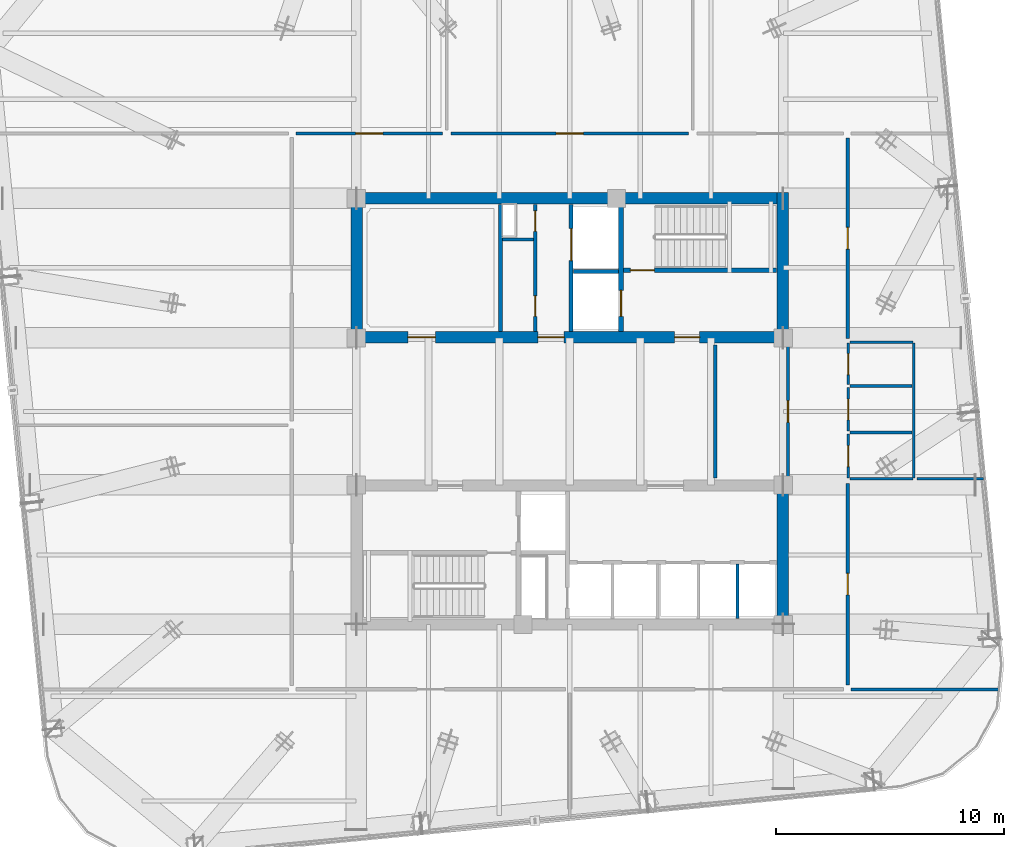
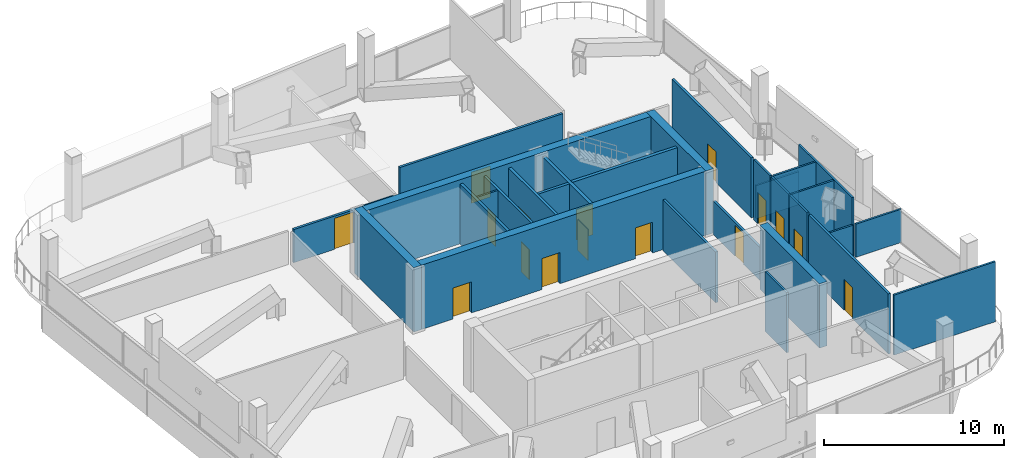
# One storey, part 17 of 22: 29 walls, 16 doors, 16 openings.
"""IFC4 building model written with IfcOpenShell, lengths in metres."""

from ifc_helpers import new_model, si_unit, direction, frame, frame_2d, origin, place, context, subcontext, project, spatial, rectangle, extrude, material, layer, layer_set, type_object, element, fill, save


model = new_model("IFC4")

# Units and contexts
model_context = context("Model", 3, precision=1e-05, world=origin(), true_north=direction((0.0, 1.0)))
body_context = subcontext(model_context, "Body", "Model", "MODEL_VIEW")
ifc_project = project(units=[si_unit("LENGTHUNIT", "METRE"), si_unit("AREAUNIT", "SQUARE_METRE"), si_unit("VOLUMEUNIT", "CUBIC_METRE"), si_unit("PLANEANGLEUNIT", "RADIAN"), si_unit("MASSUNIT", "GRAM", prefix="KILO")], contexts=[model_context])

# Site, building, storey
site_placement = place(None, origin())
site = spatial("IfcSite", under=ifc_project, at=site_placement, CompositionType="ELEMENT")
building_placement = place(site_placement, origin())
building = spatial("IfcBuilding", under=site, at=building_placement, Name="Qhalaya Broadcast Tower", CompositionType="ELEMENT")
storey_placement = place(building_placement, frame((0.0, 0.0, 183.60009765625)))
storey = spatial("IfcBuildingStorey", under=building, at=storey_placement, Name="L54", CompositionType="ELEMENT", Elevation=183.60009765625)

# Wall, openings, doors
ifc_material_1 = material(Name="Gypsum Acoustic Partition")
ifc_layer_1 = layer(ifc_material_1, 0.14990234375, Name="Gypsum Acoustic Partition")
ifc_layer_set_1 = layer_set([ifc_layer_1], Name="Gypsum Acoustic Partition")
wall_type_1 = type_object("IfcWallType", Name="Corridor & Tenancy Acoustic Partition 150", PredefinedType="PARTITIONING", material=ifc_layer_set_1)
wall_1_placement = place(storey_placement, frame((-1.52001953125, 4.1201171875, 0.0), z_axis=(0.0, 0.0, 1.0), x_axis=(0.0, 1.0, 0.0)))
wall_1 = element("IfcWall", 1, at=wall_1_placement, inside=storey, type_object=wall_type_1, Name="L54 Partition Wall NCW-SVL", PredefinedType="PARTITIONING", context=body_context, shape_type="SweptSolid", body=[
    extrude(rectangle(XDim=5.559814453125, YDim=0.14990234375, at=frame_2d((2.77978515625, 0.0))), origin(), (0.0, 0.0, 1.0), 4.06982421875),
])
opening_1_placement = place(wall_1_placement, frame((4.3798828125, 0.0, 0.0)))
opening_1 = element("IfcOpeningElement", 2, at=opening_1_placement, cuts=wall_1, Name="Opening D06", PredefinedType="OPENING", context=body_context, shape_type="SweptSolid", body=[
    extrude(rectangle(XDim=0.89990234375, YDim=2.050048828125, at=frame_2d((0.449951171875, 1.02490234375))), frame((0.0, 0.0869140625, 0.0), z_axis=(0.0, -1.0, 0.0), x_axis=(1.0, 0.0, 0.0)), (0.0, 0.0, 1.0), 0.173828125),
])
opening_2_placement = place(wall_1_placement, frame((0.64990234375, 0.0, 0.0)))
opening_2 = element("IfcOpeningElement", 3, at=opening_2_placement, cuts=wall_1, Name="Opening D06", PredefinedType="OPENING", context=body_context, shape_type="SweptSolid", body=[
    extrude(rectangle(XDim=0.89990234375, YDim=2.050048828125, at=frame_2d((0.449951171875, 1.02490234375))), frame((0.0, 0.0869140625, 0.0), z_axis=(0.0, -1.0, 0.0), x_axis=(1.0, 0.0, 0.0)), (0.0, 0.0, 1.0), 0.173828125),
])
ifc_material_2 = material(Name="Fire-Rated Steel Door", Category="steel")
door_type_1 = type_object("IfcDoorType", Name="Riser & Electrical Shaft Access Door D06", OperationType="NOTDEFINED", PredefinedType="DOOR", material=ifc_material_2)
door_1_placement = place(opening_1_placement, origin())
door_1 = element("IfcDoor", 4, at=door_1_placement, inside=storey, type_object=door_type_1, Name="L54 Riser Shaft Access Door D-NRSR", OperationType="SINGLE_SWING_RIGHT", OverallHeight=2.050048828125, OverallWidth=0.89990234375, PredefinedType="DOOR", context=body_context, shape_type="SweptSolid", body=[
    extrude(rectangle(XDim=0.89990234375, YDim=2.050048828125, at=frame_2d((0.449951171875, 1.02490234375))), frame((0.0, 0.02490234375, 0.0), z_axis=(0.0, -1.0, 0.0), x_axis=(1.0, 0.0, 0.0)), (0.0, 0.0, 1.0), 0.050048828125),
])
fill(opening_1, door_1)
door_2_placement = place(opening_2_placement, origin())
door_2 = element("IfcDoor", 5, at=door_2_placement, inside=storey, type_object=door_type_1, Name="L54 Door D-NCST", OperationType="SINGLE_SWING_LEFT", OverallHeight=2.050048828125, OverallWidth=0.89990234375, PredefinedType="DOOR", context=body_context, shape_type="SweptSolid", body=[
    extrude(rectangle(XDim=0.89990234375, YDim=2.050048828125, at=frame_2d((0.449951171875, 1.02490234375))), frame((0.0, 0.02490234375, 0.0), z_axis=(0.0, -1.0, 0.0), x_axis=(1.0, 0.0, 0.0)), (0.0, 0.0, 1.0), 0.050048828125),
])
fill(opening_2, door_2)

# Wall
wall_2_placement = place(storey_placement, frame((6.3798828125, -2.320068359375, 0.0), z_axis=(0.0, 0.0, 1.0), x_axis=(0.0, 1.0, 0.0)))
element("IfcWall", 6, at=wall_2_placement, inside=storey, type_object=wall_type_1, Name="L54 Partition Wall W-ICHW", PredefinedType="PARTITIONING", context=body_context, shape_type="SweptSolid", body=[
    extrude(rectangle(XDim=5.840087890625, YDim=0.14990234375, at=frame_2d((2.919921875, 0.0))), origin(), (0.0, 0.0, 1.0), 3.43798828125),
])

# Wall, opening, door
wall_3_placement = place(storey_placement, frame((9.580078125, -2.320068359375, 0.0), z_axis=(0.0, 0.0, 1.0), x_axis=(0.0, 1.0, 0.0)))
wall_3 = element("IfcWall", 7, at=wall_3_placement, inside=storey, type_object=wall_type_1, Name="L54 Partition Wall W-ICHE", PredefinedType="PARTITIONING", context=body_context, shape_type="SweptSolid", body=[
    extrude(rectangle(XDim=5.840087890625, YDim=0.14990234375, at=frame_2d((2.919921875, 0.0))), origin(), (0.0, 0.0, 1.0), 2.25),
])
opening_3_placement = place(wall_3_placement, frame((2.445068359375, 0.0, 0.0)))
opening_3 = element("IfcOpeningElement", 8, at=opening_3_placement, cuts=wall_3, Name="Opening D10", PredefinedType="OPENING", context=body_context, shape_type="SweptSolid", body=[
    extrude(rectangle(XDim=0.949951171875, YDim=2.10009765625, at=frame_2d((0.47509765625, 1.050048828125))), frame((0.0, 0.0869140625, 0.0), z_axis=(0.0, -1.0, 0.0), x_axis=(1.0, 0.0, 0.0)), (0.0, 0.0, 1.0), 0.173828125),
])
ifc_material_3 = material(Name="Timber Veneer Acoustic Door", Category="wood")
door_type_2 = type_object("IfcDoorType", Name="Cellular Office & Edit Booth Door D10", OperationType="NOTDEFINED", PredefinedType="DOOR", material=ifc_material_3)
door_3_placement = place(opening_3_placement, origin())
door_3 = element("IfcDoor", 9, at=door_3_placement, inside=storey, type_object=door_type_2, Name="L54 Door D-ICHE", OperationType="SINGLE_SWING_RIGHT", OverallHeight=2.10009765625, OverallWidth=0.949951171875, PredefinedType="DOOR", context=body_context, shape_type="SweptSolid", body=[
    extrude(rectangle(XDim=0.949951171875, YDim=2.10009765625, at=frame_2d((0.47509765625, 1.050048828125))), frame((0.0, 0.02490234375, 0.0), z_axis=(0.0, -1.0, 0.0), x_axis=(1.0, 0.0, 0.0)), (0.0, 0.0, 1.0), 0.050048828125),
])
fill(opening_3, door_3)

wall_4_placement = place(storey_placement, frame((-12.02001953125, 12.800048828125, 0.0), z_axis=(0.0, 0.0, 1.0), x_axis=(1.0, 0.0, 0.0)))
wall_4 = element("IfcWall", 10, at=wall_4_placement, inside=storey, type_object=wall_type_1, Name="L54 Partition Wall W-COR-01", PredefinedType="PARTITIONING", context=body_context, shape_type="SweptSolid", body=[
    extrude(rectangle(XDim=6.43994140625, YDim=0.14990234375, at=frame_2d((3.219970703125, 0.0))), origin(), (0.0, 0.0, 1.0), 2.25),
])
opening_4_placement = place(wall_4_placement, frame((2.6201171875, 0.0, 0.0)))
opening_4 = element("IfcOpeningElement", 11, at=opening_4_placement, cuts=wall_4, Name="Opening D11", PredefinedType="OPENING", context=body_context, shape_type="SweptSolid", body=[
    extrude(rectangle(XDim=1.199951171875, YDim=2.10009765625, at=frame_2d((0.60009765625, 1.050048828125))), frame((0.0, 0.0869140625, 0.0), z_axis=(0.0, -1.0, 0.0), x_axis=(1.0, 0.0, 0.0)), (0.0, 0.0, 1.0), 0.173828125),
])
ifc_material_4 = material(Name="Anodised Aluminium Glazed Door", Category="aluminium")
door_type_3 = type_object("IfcDoorType", Name="Conference, Boardroom & Studio Control Door D11", OperationType="NOTDEFINED", PredefinedType="DOOR", material=ifc_material_4)
door_4_placement = place(opening_4_placement, origin())
door_4 = element("IfcDoor", 12, at=door_4_placement, inside=storey, type_object=door_type_3, Name="L54 Door D-RM01", OperationType="SINGLE_SWING_RIGHT", OverallHeight=2.10009765625, OverallWidth=1.199951171875, PredefinedType="DOOR", context=body_context, shape_type="SweptSolid", body=[
    extrude(rectangle(XDim=1.199951171875, YDim=2.10009765625, at=frame_2d((0.60009765625, 1.050048828125))), frame((0.0, 0.02490234375, 0.0), z_axis=(0.0, -1.0, 0.0), x_axis=(1.0, 0.0, 0.0)), (0.0, 0.0, 1.0), 0.050048828125),
])
fill(opening_4, door_4)

wall_5_placement = place(storey_placement, frame((-5.219970703125, 12.800048828125, 0.0), z_axis=(0.0, 0.0, 1.0), x_axis=(1.0, 0.0, 0.0)))
wall_5 = element("IfcWall", 13, at=wall_5_placement, inside=storey, type_object=wall_type_1, Name="L54 Partition Wall W-COR-02", PredefinedType="PARTITIONING", context=body_context, shape_type="SweptSolid", body=[
    extrude(rectangle(XDim=10.43994140625, YDim=0.14990234375, at=frame_2d((5.219970703125, 0.0))), origin(), (0.0, 0.0, 1.0), 4.06982421875),
])
opening_5_placement = place(wall_5_placement, frame((4.6201171875, 0.0, 0.0)))
opening_5 = element("IfcOpeningElement", 14, at=opening_5_placement, cuts=wall_5, Name="Opening D11", PredefinedType="OPENING", context=body_context, shape_type="SweptSolid", body=[
    extrude(rectangle(XDim=1.199951171875, YDim=2.10009765625, at=frame_2d((0.60009765625, 1.050048828125))), frame((0.0, 0.0869140625, 0.0), z_axis=(0.0, -1.0, 0.0), x_axis=(1.0, 0.0, 0.0)), (0.0, 0.0, 1.0), 0.173828125),
])
door_5_placement = place(opening_5_placement, origin())
door_5 = element("IfcDoor", 15, at=door_5_placement, inside=storey, type_object=door_type_3, Name="L54 Door D-RM02", OperationType="SINGLE_SWING_LEFT", OverallHeight=2.10009765625, OverallWidth=1.199951171875, PredefinedType="DOOR", context=body_context, shape_type="SweptSolid", body=[
    extrude(rectangle(XDim=1.199951171875, YDim=2.10009765625, at=frame_2d((0.60009765625, 1.050048828125))), frame((0.0, 0.02490234375, 0.0), z_axis=(0.0, -1.0, 0.0), x_axis=(1.0, 0.0, 0.0)), (0.0, 0.0, 1.0), 0.050048828125),
])
fill(opening_5, door_5)

wall_6_placement = place(storey_placement, frame((12.199951171875, -11.39990234375, 0.0), z_axis=(0.0, 0.0, 1.0), x_axis=(0.0, 1.0, 0.0)))
wall_6 = element("IfcWall", 16, at=wall_6_placement, inside=storey, type_object=wall_type_1, Name="L54 Partition Wall W-COR-08", PredefinedType="PARTITIONING", context=body_context, shape_type="SweptSolid", body=[
    extrude(rectangle(XDim=8.83984375, YDim=0.14990234375, at=frame_2d((4.419921875, 0.0))), origin(), (0.0, 0.0, 1.0), 4.06982421875),
])
opening_6_placement = place(wall_6_placement, frame((3.945068359375, 0.0, 0.0)))
opening_6 = element("IfcOpeningElement", 17, at=opening_6_placement, cuts=wall_6, Name="Opening D10", PredefinedType="OPENING", context=body_context, shape_type="SweptSolid", body=[
    extrude(rectangle(XDim=0.949951171875, YDim=2.10009765625, at=frame_2d((0.47509765625, 1.050048828125))), frame((0.0, 0.0869140625, 0.0), z_axis=(0.0, -1.0, 0.0), x_axis=(1.0, 0.0, 0.0)), (0.0, 0.0, 1.0), 0.173828125),
])
door_6_placement = place(opening_6_placement, origin())
door_6 = element("IfcDoor", 18, at=door_6_placement, inside=storey, type_object=door_type_2, Name="L54 Door D-RM08", OperationType="SINGLE_SWING_LEFT", OverallHeight=2.10009765625, OverallWidth=0.949951171875, PredefinedType="DOOR", context=body_context, shape_type="SweptSolid", body=[
    extrude(rectangle(XDim=0.949951171875, YDim=2.10009765625, at=frame_2d((0.47509765625, 1.050048828125))), frame((0.0, 0.02490234375, 0.0), z_axis=(0.0, -1.0, 0.0), x_axis=(1.0, 0.0, 0.0)), (0.0, 0.0, 1.0), 0.050048828125),
])
fill(opening_6, door_6)

wall_7_placement = place(storey_placement, frame((12.199951171875, 3.800048828125, 0.0), z_axis=(0.0, 0.0, 1.0), x_axis=(0.0, 1.0, 0.0)))
wall_7 = element("IfcWall", 19, at=wall_7_placement, inside=storey, type_object=wall_type_1, Name="L54 Partition Wall W-COR-09", PredefinedType="PARTITIONING", context=body_context, shape_type="SweptSolid", body=[
    extrude(rectangle(XDim=8.800048828125, YDim=0.14990234375, at=frame_2d((4.39990234375, 0.0))), origin(), (0.0, 0.0, 1.0), 4.06982421875),
])
opening_7_placement = place(wall_7_placement, frame((3.925048828125, 0.0, 0.0)))
opening_7 = element("IfcOpeningElement", 20, at=opening_7_placement, cuts=wall_7, Name="Opening D10", PredefinedType="OPENING", context=body_context, shape_type="SweptSolid", body=[
    extrude(rectangle(XDim=0.949951171875, YDim=2.10009765625, at=frame_2d((0.47509765625, 1.050048828125))), frame((0.0, 0.0869140625, 0.0), z_axis=(0.0, -1.0, 0.0), x_axis=(1.0, 0.0, 0.0)), (0.0, 0.0, 1.0), 0.173828125),
])
door_7_placement = place(opening_7_placement, origin())
door_7 = element("IfcDoor", 21, at=door_7_placement, inside=storey, type_object=door_type_2, Name="L54 Door D-RM09", OperationType="SINGLE_SWING_RIGHT", OverallHeight=2.10009765625, OverallWidth=0.949951171875, PredefinedType="DOOR", context=body_context, shape_type="SweptSolid", body=[
    extrude(rectangle(XDim=0.949951171875, YDim=2.10009765625, at=frame_2d((0.47509765625, 1.050048828125))), frame((0.0, 0.02490234375, 0.0), z_axis=(0.0, -1.0, 0.0), x_axis=(1.0, 0.0, 0.0)), (0.0, 0.0, 1.0), 0.050048828125),
])
fill(opening_7, door_7)

ifc_material_5 = material(Name="Concrete C50/60", Category="concrete")
ifc_layer_2 = layer(ifc_material_5, 0.199951171875, Name="Concrete C50/60")
ifc_layer_set_2 = layer_set([ifc_layer_2], Name="Concrete C50/60")
wall_type_2 = type_object("IfcWallType", Name="Load-Bearing Stair Shaft Wall 200", PredefinedType="SHEAR", material=ifc_layer_set_2)
wall_8_placement = place(storey_placement, frame((2.360107421875, 6.804931640625, 0.0), z_axis=(0.0, 0.0, 1.0), x_axis=(1.0, 0.0, 0.0)))
wall_8 = element("IfcWall", 22, at=wall_8_placement, inside=storey, type_object=wall_type_2, Name="L54 Stair Core Shear Wall NCW-ST1", PredefinedType="SHEAR", context=body_context, shape_type="SweptSolid", body=[
    extrude(rectangle(XDim=6.719970703125, YDim=0.199951171875, at=frame_2d((3.35986328125, 0.0))), origin(), (0.0, 0.0, 1.0), 4.06982421875),
])
opening_8_placement = place(wall_8_placement, frame((0.300048828125, 0.0, 0.0)))
opening_8 = element("IfcOpeningElement", 23, at=opening_8_placement, cuts=wall_8, Name="Opening D03", PredefinedType="OPENING", context=body_context, shape_type="SweptSolid", body=[
    extrude(rectangle(XDim=1.050048828125, YDim=2.080078125, at=frame_2d((0.52490234375, 1.0400390625))), frame((0.0, 0.112060546875, 0.0), z_axis=(0.0, -1.0, 0.0), x_axis=(1.0, 0.0, 0.0)), (0.0, 0.0, 1.0), 0.223876953125),
])
door_type_4 = type_object("IfcDoorType", Name="Core Stair Protected Fire Door D03", OperationType="NOTDEFINED", PredefinedType="DOOR", material=ifc_material_2)
door_8_placement = place(opening_8_placement, origin())
door_8 = element("IfcDoor", 24, at=door_8_placement, inside=storey, type_object=door_type_4, Name="L54 Door D-NST1", OperationType="SINGLE_SWING_LEFT", OverallHeight=2.080078125, OverallWidth=1.050048828125, PredefinedType="DOOR", context=body_context, shape_type="SweptSolid", body=[
    extrude(rectangle(XDim=1.050048828125, YDim=2.080078125, at=frame_2d((0.52490234375, 1.0400390625))), frame((0.0, 0.02490234375, 0.0), z_axis=(0.0, -1.0, 0.0), x_axis=(1.0, 0.0, 0.0)), (0.0, 0.0, 1.0), 0.050048828125),
])
fill(opening_8, door_8)

wall_9_placement = place(storey_placement, frame((2.25, 4.1201171875, 0.0), z_axis=(0.0, 0.0, 1.0), x_axis=(0.0, 1.0, 0.0)))
wall_9 = element("IfcWall", 25, at=wall_9_placement, inside=storey, type_object=wall_type_2, Name="L54 Stair Core Shear Wall NCW-FF", PredefinedType="SHEAR", context=body_context, shape_type="SweptSolid", body=[
    extrude(rectangle(XDim=5.559814453125, YDim=0.199951171875, at=frame_2d((2.77978515625, 0.0))), origin(), (0.0, 0.0, 1.0), 4.06982421875),
])
opening_9_placement = place(wall_9_placement, frame((0.64990234375, 0.0, 0.0)))
opening_9 = element("IfcOpeningElement", 26, at=opening_9_placement, cuts=wall_9, Name="Opening LD2", PredefinedType="OPENING", context=body_context, shape_type="SweptSolid", body=[
    extrude(rectangle(XDim=1.14990234375, YDim=2.080078125, at=frame_2d((0.574951171875, 1.0400390625))), frame((0.0, 0.112060546875, 0.0), z_axis=(0.0, -1.0, 0.0), x_axis=(1.0, 0.0, 0.0)), (0.0, 0.0, 1.0), 0.223876953125),
])
ifc_material_6 = material(Name="Brushed Stainless Steel Lift Door", Category="steel")
door_type_5 = type_object("IfcDoorType", Name="Firefighting Lift Sliding Landing Door LD2", OperationType="DOUBLE_DOOR_SLIDING", PredefinedType="DOOR", material=ifc_material_6)
door_9_placement = place(opening_9_placement, origin())
door_9 = element("IfcDoor", 27, at=door_9_placement, inside=storey, type_object=door_type_5, Name="L54 Door LD-FF1", OperationType="DOUBLE_DOOR_SLIDING", OverallHeight=2.080078125, OverallWidth=1.14990234375, PredefinedType="DOOR", context=body_context, shape_type="SweptSolid", body=[
    extrude(rectangle(XDim=1.14990234375, YDim=2.080078125, at=frame_2d((0.574951171875, 1.0400390625))), frame((0.0, 0.02490234375, 0.0), z_axis=(0.0, -1.0, 0.0), x_axis=(1.0, 0.0, 0.0)), (0.0, 0.0, 1.0), 0.050048828125),
])
fill(opening_9, door_9)

# Wall
ifc_layer_3 = layer(ifc_material_5, 0.5, Name="Concrete C50/60")
ifc_layer_set_3 = layer_set([ifc_layer_3], Name="Concrete C50/60")
wall_type_3 = type_object("IfcWallType", Name="Mid Split-Core Shear Wall 500", PredefinedType="SHEAR", material=ifc_layer_set_3)
wall_10_placement = place(storey_placement, frame((-9.60009765625, 9.949951171875, 0.0), z_axis=(0.0, 0.0, 1.0), x_axis=(1.0, 0.0, 0.0)))
element("IfcWall", 28, at=wall_10_placement, inside=storey, type_object=wall_type_3, Name="L54 Split-Core Shear Wall CW-NN", PredefinedType="SHEAR", context=body_context, shape_type="SweptSolid", body=[
    extrude(rectangle(XDim=19.2001953125, YDim=0.5, at=frame_2d((9.60009765625, 0.0))), origin(), (0.0, 0.0, 1.0), 4.349853515625),
])

# Wall, openings, doors
wall_11_placement = place(storey_placement, frame((-9.60009765625, 3.85009765625, 0.0), z_axis=(0.0, 0.0, 1.0), x_axis=(1.0, 0.0, 0.0)))
wall_11 = element("IfcWall", 29, at=wall_11_placement, inside=storey, type_object=wall_type_3, Name="L54 Split-Core Shear Wall CW-NS", PredefinedType="SHEAR", context=body_context, shape_type="SweptSolid", body=[
    extrude(rectangle(XDim=19.2001953125, YDim=0.5, at=frame_2d((9.60009765625, 0.0))), origin(), (0.0, 0.0, 1.0), 4.349853515625),
])
opening_10_placement = place(wall_11_placement, frame((14.199951171875, 0.0, 0.0)))
opening_10 = element("IfcOpeningElement", 30, at=opening_10_placement, cuts=wall_11, Name="Opening D04", PredefinedType="OPENING", context=body_context, shape_type="SweptSolid", body=[
    extrude(rectangle(XDim=1.10009765625, YDim=2.080078125, at=frame_2d((0.550048828125, 1.0400390625))), frame((0.0, 0.261962890625, 0.0), z_axis=(0.0, -1.0, 0.0), x_axis=(1.0, 0.0, 0.0)), (0.0, 0.0, 1.0), 0.52392578125),
])
opening_11_placement = place(wall_11_placement, frame((8.199951171875, 0.0, 0.0)))
opening_11 = element("IfcOpeningElement", 31, at=opening_11_placement, cuts=wall_11, Name="Opening D05", PredefinedType="OPENING", context=body_context, shape_type="SweptSolid", body=[
    extrude(rectangle(XDim=1.14990234375, YDim=2.10009765625, at=frame_2d((0.574951171875, 1.050048828125))), frame((0.0, 0.261962890625, 0.0), z_axis=(0.0, -1.0, 0.0), x_axis=(1.0, 0.0, 0.0)), (0.0, 0.0, 1.0), 0.52392578125),
])
opening_12_placement = place(wall_11_placement, frame((2.5, 0.0, 0.0)))
opening_12 = element("IfcOpeningElement", 32, at=opening_12_placement, cuts=wall_11, Name="Opening D11", PredefinedType="OPENING", context=body_context, shape_type="SweptSolid", body=[
    extrude(rectangle(XDim=1.199951171875, YDim=2.10009765625, at=frame_2d((0.60009765625, 1.050048828125))), frame((0.0, 0.261962890625, 0.0), z_axis=(0.0, -1.0, 0.0), x_axis=(1.0, 0.0, 0.0)), (0.0, 0.0, 1.0), 0.52392578125),
])
door_10_placement = place(opening_12_placement, origin())
door_10 = element("IfcDoor", 33, at=door_10_placement, inside=storey, type_object=door_type_3, Name="L54 Door D-NREC1", OperationType="SINGLE_SWING_LEFT", OverallHeight=2.10009765625, OverallWidth=1.199951171875, PredefinedType="DOOR", context=body_context, shape_type="SweptSolid", body=[
    extrude(rectangle(XDim=1.199951171875, YDim=2.10009765625, at=frame_2d((0.60009765625, 1.050048828125))), frame((0.0, 0.02490234375, 0.0), z_axis=(0.0, -1.0, 0.0), x_axis=(1.0, 0.0, 0.0)), (0.0, 0.0, 1.0), 0.050048828125),
])
fill(opening_12, door_10)
door_type_6 = type_object("IfcDoorType", Name="Firefighting Lobby Rated Door D04", OperationType="NOTDEFINED", PredefinedType="DOOR", material=ifc_material_2)
door_11_placement = place(opening_10_placement, origin())
door_11 = element("IfcDoor", 34, at=door_11_placement, inside=storey, type_object=door_type_6, Name="L54 Door D-NFF", OperationType="SINGLE_SWING_RIGHT", OverallHeight=2.080078125, OverallWidth=1.10009765625, PredefinedType="DOOR", context=body_context, shape_type="SweptSolid", body=[
    extrude(rectangle(XDim=1.10009765625, YDim=2.080078125, at=frame_2d((0.550048828125, 1.0400390625))), frame((0.0, 0.02490234375, 0.0), z_axis=(0.0, -1.0, 0.0), x_axis=(1.0, 0.0, 0.0)), (0.0, 0.0, 1.0), 0.050048828125),
])
fill(opening_10, door_11)
door_type_7 = type_object("IfcDoorType", Name="Refuge & Plant Room Fire Door D05", OperationType="NOTDEFINED", PredefinedType="DOOR", material=ifc_material_2)
door_12_placement = place(opening_11_placement, origin())
door_12 = element("IfcDoor", 35, at=door_12_placement, inside=storey, type_object=door_type_7, Name="L54 Door D-NSVL", OperationType="SINGLE_SWING_LEFT", OverallHeight=2.10009765625, OverallWidth=1.14990234375, PredefinedType="DOOR", context=body_context, shape_type="SweptSolid", body=[
    extrude(rectangle(XDim=1.14990234375, YDim=2.10009765625, at=frame_2d((0.574951171875, 1.050048828125))), frame((0.0, 0.02490234375, 0.0), z_axis=(0.0, -1.0, 0.0), x_axis=(1.0, 0.0, 0.0)), (0.0, 0.0, 1.0), 0.050048828125),
])
fill(opening_11, door_12)

# Walls
for number, where, z_axis, x_axis, name in (
    (36, (-9.35009765625, 3.60009765625, 0.0), (0.0, 0.0, 1.0), (0.0, 1.0, 0.0), "L54 Split-Core Shear Wall CW-NW"),
    (37, (9.35009765625, 3.60009765625, 0.0), (0.0, 0.0, 1.0), (0.0, 1.0, 0.0), "L54 Split-Core Shear Wall CW-NE"),
):
    element("IfcWall", number, at=place(storey_placement, frame(where, z_axis=z_axis, x_axis=x_axis)), inside=storey, type_object=wall_type_3, Name=name, PredefinedType="SHEAR", context=body_context, shape_type="SweptSolid", body=[
        extrude(rectangle(XDim=6.599853515625, YDim=0.5, at=frame_2d((3.2998046875, 0.0))), origin(), (0.0, 0.0, 1.0), 4.349853515625),
    ])
wall_12_placement = place(storey_placement, frame((9.35009765625, -9.0, 0.0), z_axis=(0.0, 0.0, 1.0), x_axis=(0.0, 1.0, 0.0)))
element("IfcWall", 38, at=wall_12_placement, inside=storey, type_object=wall_type_3, Name="L54 Split-Core Shear Wall CW-SE", PredefinedType="SHEAR", context=body_context, shape_type="SweptSolid", body=[
    extrude(rectangle(XDim=6.60009765625, YDim=0.5, at=frame_2d((3.300048828125, 0.0))), origin(), (0.0, 0.0, 1.0), 4.349853515625),
])
ifc_layer_4 = layer(ifc_material_1, 0.1201171875, Name="Gypsum Acoustic Partition")
ifc_layer_set_4 = layer_set([ifc_layer_4], Name="Gypsum Acoustic Partition")
wall_type_4 = type_object("IfcWallType", Name="Office, Booth & Sanitary Partition 120", PredefinedType="PARTITIONING", material=ifc_layer_set_4)
wall_13_placement = place(storey_placement, frame((-2.9599609375, 8.14990234375, 0.0), z_axis=(0.0, 0.0, 1.0), x_axis=(1.0, 0.0, 0.0)))
element("IfcWall", 39, at=wall_13_placement, inside=storey, type_object=wall_type_4, Name="L54 Partition Wall NCW-VA", PredefinedType="PARTITIONING", context=body_context, shape_type="SweptSolid", body=[
    extrude(rectangle(XDim=1.35986328125, YDim=0.1201171875, at=frame_2d((0.679931640625, 0.0))), origin(), (0.0, 0.0, 1.0), 4.06982421875),
])
wall_14_placement = place(storey_placement, frame((7.360107421875, -8.47998046875, 0.0), z_axis=(0.0, 0.0, 1.0), x_axis=(0.0, 1.0, 0.0)))
element("IfcWall", 40, at=wall_14_placement, inside=storey, type_object=wall_type_4, Name="L54 Partition Wall SCW-HD7", PredefinedType="PARTITIONING", context=body_context, shape_type="SweptSolid", body=[
    extrude(rectangle(XDim=2.3798828125, YDim=0.1201171875, at=frame_2d((1.18994140625, 0.0))), origin(), (0.0, 0.0, 1.0), 4.06982421875),
])

# Wall, opening, door
wall_15_placement = place(storey_placement, frame((12.219970703125, -2.320068359375, 0.0), z_axis=(0.0, 0.0, 1.0), x_axis=(0.0, 1.0, 0.0)))
wall_15 = element("IfcWall", 41, at=wall_15_placement, inside=storey, type_object=wall_type_4, Name="L54 Partition Wall W-WCWA", PredefinedType="PARTITIONING", context=body_context, shape_type="SweptSolid", body=[
    extrude(rectangle(XDim=1.940185546875, YDim=0.1201171875, at=frame_2d((0.97021484375, 0.0))), origin(), (0.0, 0.0, 1.0), 4.06982421875),
])
opening_13_placement = place(wall_15_placement, frame((0.4951171875, 0.0, 0.0)))
opening_13 = element("IfcOpeningElement", 42, at=opening_13_placement, cuts=wall_15, Name="Opening D12", PredefinedType="OPENING", context=body_context, shape_type="SweptSolid", body=[
    extrude(rectangle(XDim=0.919921875, YDim=2.10009765625, at=frame_2d((0.4599609375, 1.050048828125))), frame((0.0, 0.072021484375, 0.0), z_axis=(0.0, -1.0, 0.0), x_axis=(1.0, 0.0, 0.0)), (0.0, 0.0, 1.0), 0.14404296875),
])
door_type_8 = type_object("IfcDoorType", Name="Accessible WC & Restroom Door D12", OperationType="NOTDEFINED", PredefinedType="DOOR", material=ifc_material_3)
door_13_placement = place(opening_13_placement, origin())
door_13 = element("IfcDoor", 43, at=door_13_placement, inside=storey, type_object=door_type_8, Name="L54 Door D-WCA", OperationType="SINGLE_SWING_LEFT", OverallHeight=2.10009765625, OverallWidth=0.919921875, PredefinedType="DOOR", context=body_context, shape_type="SweptSolid", body=[
    extrude(rectangle(XDim=0.919921875, YDim=2.10009765625, at=frame_2d((0.4599609375, 1.050048828125))), frame((0.0, 0.02490234375, 0.0), z_axis=(0.0, -1.0, 0.0), x_axis=(1.0, 0.0, 0.0)), (0.0, 0.0, 1.0), 0.050048828125),
])
fill(opening_13, door_13)

wall_16_placement = place(storey_placement, frame((12.219970703125, -0.25, 0.0), z_axis=(0.0, 0.0, 1.0), x_axis=(0.0, 1.0, 0.0)))
wall_16 = element("IfcWall", 44, at=wall_16_placement, inside=storey, type_object=wall_type_4, Name="L54 Partition Wall W-WCWM", PredefinedType="PARTITIONING", context=body_context, shape_type="SweptSolid", body=[
    extrude(rectangle(XDim=1.89990234375, YDim=0.1201171875, at=frame_2d((0.949951171875, 0.0))), origin(), (0.0, 0.0, 1.0), 4.06982421875),
])
opening_14_placement = place(wall_16_placement, frame((0.47509765625, 0.0, 0.0)))
opening_14 = element("IfcOpeningElement", 45, at=opening_14_placement, cuts=wall_16, Name="Opening D12", PredefinedType="OPENING", context=body_context, shape_type="SweptSolid", body=[
    extrude(rectangle(XDim=0.919921875, YDim=2.10009765625, at=frame_2d((0.4599609375, 1.050048828125))), frame((0.0, 0.072021484375, 0.0), z_axis=(0.0, -1.0, 0.0), x_axis=(1.0, 0.0, 0.0)), (0.0, 0.0, 1.0), 0.14404296875),
])
door_14_placement = place(opening_14_placement, origin())
door_14 = element("IfcDoor", 46, at=door_14_placement, inside=storey, type_object=door_type_8, Name="L54 Door D-WCM", OperationType="SINGLE_SWING_RIGHT", OverallHeight=2.10009765625, OverallWidth=0.919921875, PredefinedType="DOOR", context=body_context, shape_type="SweptSolid", body=[
    extrude(rectangle(XDim=0.919921875, YDim=2.10009765625, at=frame_2d((0.4599609375, 1.050048828125))), frame((0.0, 0.02490234375, 0.0), z_axis=(0.0, -1.0, 0.0), x_axis=(1.0, 0.0, 0.0)), (0.0, 0.0, 1.0), 0.050048828125),
])
fill(opening_14, door_14)

wall_17_placement = place(storey_placement, frame((12.219970703125, 1.780029296875, 0.0), z_axis=(0.0, 0.0, 1.0), x_axis=(0.0, 1.0, 0.0)))
wall_17 = element("IfcWall", 47, at=wall_17_placement, inside=storey, type_object=wall_type_4, Name="L54 Partition Wall W-WCWF", PredefinedType="PARTITIONING", context=body_context, shape_type="SweptSolid", body=[
    extrude(rectangle(XDim=1.830078125, YDim=0.1201171875, at=frame_2d((0.9150390625, 0.0))), origin(), (0.0, 0.0, 1.0), 4.06982421875),
])
opening_15_placement = place(wall_17_placement, frame((0.43994140625, 0.0, 0.0)))
opening_15 = element("IfcOpeningElement", 48, at=opening_15_placement, cuts=wall_17, Name="Opening D12", PredefinedType="OPENING", context=body_context, shape_type="SweptSolid", body=[
    extrude(rectangle(XDim=0.919921875, YDim=2.10009765625, at=frame_2d((0.4599609375, 1.050048828125))), frame((0.0, 0.072021484375, 0.0), z_axis=(0.0, -1.0, 0.0), x_axis=(1.0, 0.0, 0.0)), (0.0, 0.0, 1.0), 0.14404296875),
])
door_15_placement = place(opening_15_placement, origin())
door_15 = element("IfcDoor", 49, at=door_15_placement, inside=storey, type_object=door_type_8, Name="L54 Door D-WCF", OperationType="SINGLE_SWING_LEFT", OverallHeight=2.10009765625, OverallWidth=0.919921875, PredefinedType="DOOR", context=body_context, shape_type="SweptSolid", body=[
    extrude(rectangle(XDim=0.919921875, YDim=2.10009765625, at=frame_2d((0.4599609375, 1.050048828125))), frame((0.0, 0.02490234375, 0.0), z_axis=(0.0, -1.0, 0.0), x_axis=(1.0, 0.0, 0.0)), (0.0, 0.0, 1.0), 0.050048828125),
])
fill(opening_15, door_15)

# Walls
wall_18_placement = place(storey_placement, frame((15.10009765625, -2.320068359375, 0.0), z_axis=(0.0, 0.0, 1.0), x_axis=(0.0, 1.0, 0.0)))
element("IfcWall", 50, at=wall_18_placement, inside=storey, type_object=wall_type_4, Name="L54 Partition Wall W-WCE", PredefinedType="PARTITIONING", context=body_context, shape_type="SweptSolid", body=[
    extrude(rectangle(XDim=5.93017578125, YDim=0.1201171875, at=frame_2d((2.965087890625, 0.0))), origin(), (0.0, 0.0, 1.0), 4.06982421875),
])
for number, where, z_axis, x_axis, name in (
    (51, (12.31005859375, -2.35009765625, 0.0), (0.0, 0.0, 1.0), (1.0, 0.0, 0.0), "L54 Partition Wall W-WCS"),
    (52, (12.31005859375, 3.639892578125, 0.0), (0.0, 0.0, 1.0), (1.0, 0.0, 0.0), "L54 Partition Wall W-WCN"),
):
    element("IfcWall", number, at=place(storey_placement, frame(where, z_axis=z_axis, x_axis=x_axis)), inside=storey, type_object=wall_type_4, Name=name, PredefinedType="PARTITIONING", context=body_context, shape_type="SweptSolid", body=[
        extrude(rectangle(XDim=2.760009765625, YDim=0.1201171875, at=frame_2d((1.3798828125, 0.0))), origin(), (0.0, 0.0, 1.0), 2.25),
    ])
for number, where, z_axis, x_axis, name in (
    (53, (12.31005859375, -0.320068359375, 0.0), (0.0, 0.0, 1.0), (1.0, 0.0, 0.0), "L54 Partition Wall W-WCD1"),
    (54, (12.31005859375, 1.719970703125, 0.0), (0.0, 0.0, 1.0), (1.0, 0.0, 0.0), "L54 Partition Wall W-WCD2"),
):
    element("IfcWall", number, at=place(storey_placement, frame(where, z_axis=z_axis, x_axis=x_axis)), inside=storey, type_object=wall_type_4, Name=name, PredefinedType="PARTITIONING", context=body_context, shape_type="SweptSolid", body=[
        extrude(rectangle(XDim=2.719970703125, YDim=0.1201171875, at=frame_2d((1.35986328125, 0.0))), origin(), (0.0, 0.0, 1.0), 4.06982421875),
    ])
wall_19_placement = place(storey_placement, frame((12.340087890625, -11.60009765625, 0.0), z_axis=(0.0, 0.0, 1.0), x_axis=(1.0, 0.0, 0.0)))
element("IfcWall", 55, at=wall_19_placement, inside=storey, type_object=wall_type_4, Name="L54 Partition Wall W-BNDE2", PredefinedType="PARTITIONING", context=body_context, shape_type="SweptSolid", body=[
    extrude(rectangle(XDim=6.489990234375, YDim=0.1201171875, at=frame_2d((3.2451171875, 0.0))), origin(), (0.0, 0.0, 1.0), 4.06982421875),
])
wall_20_placement = place(storey_placement, frame((15.239990234375, -2.35009765625, 0.0), z_axis=(0.0, 0.0, 1.0), x_axis=(1.0, 0.0, 0.0)))
element("IfcWall", 56, at=wall_20_placement, inside=storey, type_object=wall_type_4, Name="L54 Partition Wall W-DIVE-WC", PredefinedType="PARTITIONING", context=body_context, shape_type="SweptSolid", body=[
    extrude(rectangle(XDim=2.914306640625, YDim=0.1201171875, at=frame_2d((1.45703125, 0.0))), origin(), (0.0, 0.0, 1.0), 2.25),
])

# Wall, opening, door
ifc_layer_5 = layer(ifc_material_1, 0.175048828125, Name="Gypsum Acoustic Partition")
ifc_layer_set_5 = layer_set([ifc_layer_5], Name="Gypsum Acoustic Partition")
wall_type_5 = type_object("IfcWallType", Name="Shaft & Riser Fire Partition 175", PredefinedType="PARTITIONING", material=ifc_layer_set_5)
wall_21_placement = place(storey_placement, frame((0.06005859375, 4.1201171875, 0.0), z_axis=(0.0, 0.0, 1.0), x_axis=(0.0, 1.0, 0.0)))
wall_21 = element("IfcWall", 57, at=wall_21_placement, inside=storey, type_object=wall_type_5, Name="L54 Partition Wall NCW-SVW", PredefinedType="PARTITIONING", context=body_context, shape_type="SweptSolid", body=[
    extrude(rectangle(XDim=5.559814453125, YDim=0.175048828125, at=frame_2d((2.77978515625, 0.0))), origin(), (0.0, 0.0, 1.0), 4.06982421875),
])
opening_16_placement = place(wall_21_placement, frame((3.10009765625, 0.0, 0.0)))
opening_16 = element("IfcOpeningElement", 58, at=opening_16_placement, cuts=wall_21, Name="Opening LD3", PredefinedType="OPENING", context=body_context, shape_type="SweptSolid", body=[
    extrude(rectangle(XDim=1.39990234375, YDim=2.1201171875, at=frame_2d((0.699951171875, 1.06005859375))), frame((0.0, 0.099609375, 0.0), z_axis=(0.0, -1.0, 0.0), x_axis=(1.0, 0.0, 0.0)), (0.0, 0.0, 1.0), 0.198974609375),
])
door_type_9 = type_object("IfcDoorType", Name="Service Lift Wide Sliding Landing Door LD3", OperationType="DOUBLE_DOOR_SLIDING", PredefinedType="DOOR", material=ifc_material_6)
door_16_placement = place(opening_16_placement, origin())
door_16 = element("IfcDoor", 59, at=door_16_placement, inside=storey, type_object=door_type_9, Name="L54 Door LD-SV1", OperationType="DOUBLE_DOOR_SLIDING", OverallHeight=2.1201171875, OverallWidth=1.39990234375, PredefinedType="DOOR", context=body_context, shape_type="SweptSolid", body=[
    extrude(rectangle(XDim=1.39990234375, YDim=2.1201171875, at=frame_2d((0.699951171875, 1.06005859375))), frame((0.0, 0.02490234375, 0.0), z_axis=(0.0, -1.0, 0.0), x_axis=(1.0, 0.0, 0.0)), (0.0, 0.0, 1.0), 0.050048828125),
])
fill(opening_16, door_16)

# Walls
wall_22_placement = place(storey_placement, frame((0.159912109375, 6.75, 0.0), z_axis=(0.0, 0.0, 1.0), x_axis=(1.0, 0.0, 0.0)))
element("IfcWall", 60, at=wall_22_placement, inside=storey, type_object=wall_type_5, Name="L54 Partition Wall NCW-SVM", PredefinedType="PARTITIONING", context=body_context, shape_type="SweptSolid", body=[
    extrude(rectangle(XDim=1.97998046875, YDim=0.175048828125, at=frame_2d((0.989990234375, 0.0))), origin(), (0.0, 0.0, 1.0), 4.06982421875),
])
wall_23_placement = place(storey_placement, frame((-3.0400390625, 4.1201171875, 0.0), z_axis=(0.0, 0.0, 1.0), x_axis=(0.0, 1.0, 0.0)))
element("IfcWall", 61, at=wall_23_placement, inside=storey, type_object=wall_type_5, Name="L54 Partition Wall NCW-VRW", PredefinedType="PARTITIONING", context=body_context, shape_type="SweptSolid", body=[
    extrude(rectangle(XDim=5.559814453125, YDim=0.175048828125, at=frame_2d((2.77978515625, 0.0))), origin(), (0.0, 0.0, 1.0), 4.06982421875),
])

save(model, "model.ifc")
